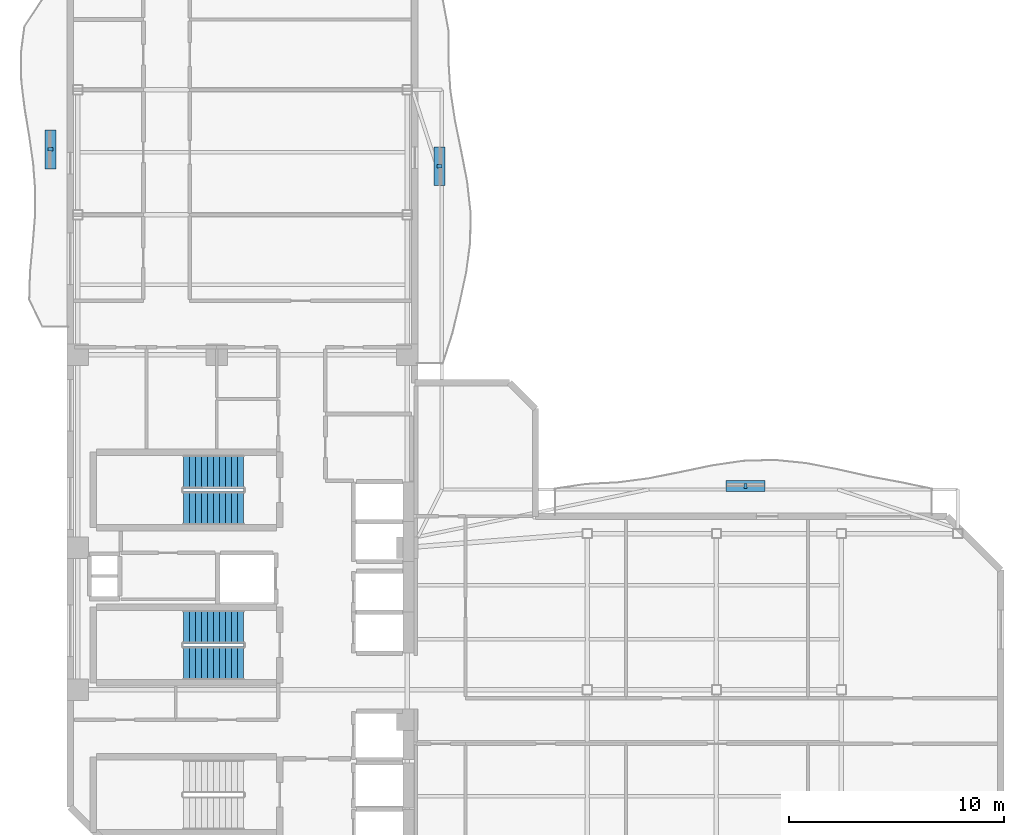
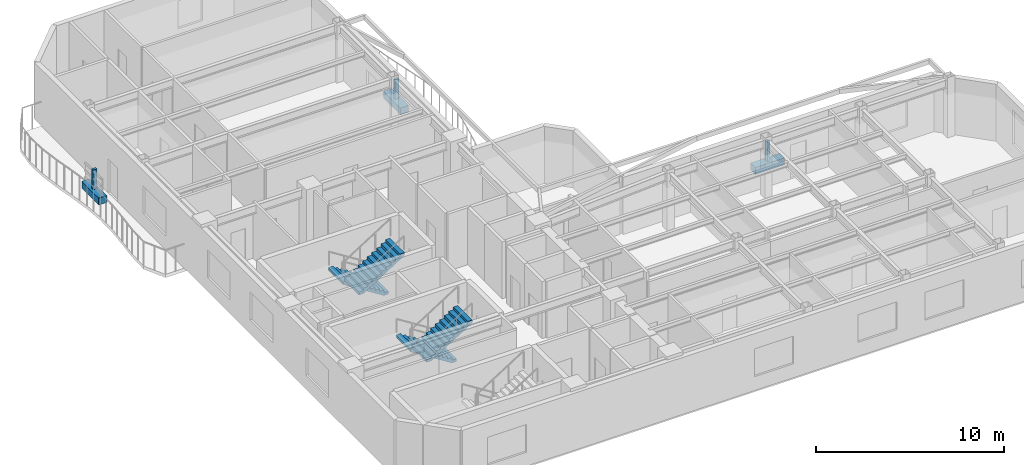
# One storey, part 6 of 9: 6 discrete accessories, 4 stair flights, 2 elements without a shape of their own.
"""IFC4 building model written with IfcOpenShell, lengths in metres."""

from ifc_helpers import new_model, si_unit, direction, frame, origin, origin_2d, place, context, subcontext, project, spatial, polyline, rectangle, outline, extrude, material, type_object, element, aggregate, save


model = new_model("IFC4")

# Units and contexts
model_context = context("Model", 3, precision=1e-05, world=origin(), true_north=direction((0.0, 1.0)))
body_context = subcontext(model_context, "Body", "Model", "MODEL_VIEW")
ifc_project = project(units=[si_unit("LENGTHUNIT", "METRE"), si_unit("AREAUNIT", "SQUARE_METRE"), si_unit("VOLUMEUNIT", "CUBIC_METRE"), si_unit("PLANEANGLEUNIT", "RADIAN"), si_unit("MASSUNIT", "GRAM", prefix="KILO")], contexts=[model_context])

# Site, building, storey
site_placement = place(None, origin())
site = spatial("IfcSite", under=ifc_project, at=site_placement, CompositionType="ELEMENT")
building_placement = place(site_placement, origin())
building = spatial("IfcBuilding", under=site, at=building_placement, Name="Mawjaban Terraces University", CompositionType="ELEMENT")
storey_placement = place(building_placement, frame((0.0, 0.0, 226.5)))
storey = spatial("IfcBuildingStorey", under=building, at=storey_placement, Name="L55", CompositionType="ELEMENT", Elevation=226.5)

# Stair, stair flights
ifc_material_1 = material(Name="Concrete C40/50", Category="concrete")
stair_type = type_object("IfcStairType", Name="Stair_Core1550_H39", PredefinedType="HALF_TURN_STAIR", material=ifc_material_1)
stair_1_placement = place(storey_placement, origin())
stair_1 = element("IfcStair", 1, at=stair_1_placement, inside=storey, type_object=stair_type, Name="L55 Core Exit Stair 2", PredefinedType="HALF_TURN_STAIR")
stair_flight_type = type_object("IfcStairFlightType", Name="Flight_Core1550_H39", PredefinedType="STRAIGHT", material=ifc_material_1)
stair_flight_1_placement = place(storey_placement, frame((30.050048828125, 18.074951171875, 0.0), z_axis=(0.0, 0.0, 1.0), x_axis=(-1.0, 0.0, 0.0)))
stair_flight_1 = element("IfcStairFlight", 2, at=stair_flight_1_placement, type_object=stair_flight_type, Name="ST-2 flight 1", NumberOfRisers=11, NumberOfTreads=10, PredefinedType="STRAIGHT", RiserHeight=0.177272727, TreadLength=0.28, context=body_context, shape_type="SweptSolid", body=[
    extrude(outline(polyline([(0.0, 0.0), (0.0, 0.17724609375), (0.280029296875, 0.17724609375), (0.280029296875, 0.3544921875), (0.56005859375, 0.3544921875), (0.56005859375, 0.53173828125), (0.840087890625, 0.53173828125), (0.840087890625, 0.708984375), (1.1201171875, 0.708984375), (1.1201171875, 0.886474609375), (1.39990234375, 0.886474609375), (1.39990234375, 1.063720703125), (1.679931640625, 1.063720703125), (1.679931640625, 1.240966796875), (1.9599609375, 1.240966796875), (1.9599609375, 1.418212890625), (2.239990234375, 1.418212890625), (2.239990234375, 1.595458984375), (2.52001953125, 1.595458984375), (2.52001953125, 1.772705078125), (2.800048828125, 1.772705078125), (2.800048828125, 1.949951171875), (2.800048828125, 1.59521484375), (0.2802734375, 0.0), (0.0, 0.0)])), frame((0.0, 0.77490234375, 0.0), z_axis=(0.0, -1.0, 0.0), x_axis=(1.0, 0.0, 0.0)), (0.0, 0.0, 1.0), 1.550048828125),
])
stair_flight_2_placement = place(storey_placement, frame((27.25, 16.375, 1.949951171875), z_axis=(0.0, 0.0, 1.0), x_axis=(1.0, 0.0, 0.0)))
stair_flight_2 = element("IfcStairFlight", 3, at=stair_flight_2_placement, type_object=stair_flight_type, Name="ST-2 flight 2", NumberOfRisers=11, NumberOfTreads=10, PredefinedType="STRAIGHT", RiserHeight=0.177272727, TreadLength=0.28, context=body_context, shape_type="SweptSolid", body=[
    extrude(outline(polyline([(0.0, 0.0), (0.0, 0.17724609375), (0.280029296875, 0.17724609375), (0.280029296875, 0.3544921875), (0.56005859375, 0.3544921875), (0.56005859375, 0.53173828125), (0.840087890625, 0.53173828125), (0.840087890625, 0.708984375), (1.1201171875, 0.708984375), (1.1201171875, 0.886474609375), (1.39990234375, 0.886474609375), (1.39990234375, 1.063720703125), (1.679931640625, 1.063720703125), (1.679931640625, 1.240966796875), (1.9599609375, 1.240966796875), (1.9599609375, 1.418212890625), (2.239990234375, 1.418212890625), (2.239990234375, 1.595458984375), (2.52001953125, 1.595458984375), (2.52001953125, 1.772705078125), (2.800048828125, 1.772705078125), (2.800048828125, 1.949951171875), (2.800048828125, 1.59521484375), (0.2802734375, 0.0), (0.0, 0.0)])), frame((0.0, 0.77490234375, 0.0), z_axis=(0.0, -1.0, 0.0), x_axis=(1.0, 0.0, 0.0)), (0.0, 0.0, 1.0), 1.550048828125),
])
aggregate(stair_1, [stair_flight_1, stair_flight_2])

stair_2_placement = place(storey_placement, origin())
stair_2 = element("IfcStair", 4, at=stair_2_placement, inside=storey, type_object=stair_type, Name="L55 Core Exit Stair 3", PredefinedType="HALF_TURN_STAIR")
stair_flight_3_placement = place(storey_placement, frame((30.050048828125, 10.875, 0.0), z_axis=(0.0, 0.0, 1.0), x_axis=(-1.0, 0.0, 0.0)))
stair_flight_3 = element("IfcStairFlight", 5, at=stair_flight_3_placement, type_object=stair_flight_type, Name="ST-3 flight 1", NumberOfRisers=11, NumberOfTreads=10, PredefinedType="STRAIGHT", RiserHeight=0.177272727, TreadLength=0.28, context=body_context, shape_type="SweptSolid", body=[
    extrude(outline(polyline([(0.0, 0.0), (0.0, 0.17724609375), (0.280029296875, 0.17724609375), (0.280029296875, 0.3544921875), (0.56005859375, 0.3544921875), (0.56005859375, 0.53173828125), (0.840087890625, 0.53173828125), (0.840087890625, 0.708984375), (1.1201171875, 0.708984375), (1.1201171875, 0.886474609375), (1.39990234375, 0.886474609375), (1.39990234375, 1.063720703125), (1.679931640625, 1.063720703125), (1.679931640625, 1.240966796875), (1.9599609375, 1.240966796875), (1.9599609375, 1.418212890625), (2.239990234375, 1.418212890625), (2.239990234375, 1.595458984375), (2.52001953125, 1.595458984375), (2.52001953125, 1.772705078125), (2.800048828125, 1.772705078125), (2.800048828125, 1.949951171875), (2.800048828125, 1.59521484375), (0.2802734375, 0.0), (0.0, 0.0)])), frame((0.0, 0.77490234375, 0.0), z_axis=(0.0, -1.0, 0.0), x_axis=(1.0, 0.0, 0.0)), (0.0, 0.0, 1.0), 1.550048828125),
])
stair_flight_4_placement = place(storey_placement, frame((27.25, 9.175048828125, 1.949951171875), z_axis=(0.0, 0.0, 1.0), x_axis=(1.0, 0.0, 0.0)))
stair_flight_4 = element("IfcStairFlight", 6, at=stair_flight_4_placement, type_object=stair_flight_type, Name="ST-3 flight 2", NumberOfRisers=11, NumberOfTreads=10, PredefinedType="STRAIGHT", RiserHeight=0.177272727, TreadLength=0.28, context=body_context, shape_type="SweptSolid", body=[
    extrude(outline(polyline([(0.0, 0.0), (0.0, 0.17724609375), (0.280029296875, 0.17724609375), (0.280029296875, 0.3544921875), (0.56005859375, 0.3544921875), (0.56005859375, 0.53173828125), (0.840087890625, 0.53173828125), (0.840087890625, 0.708984375), (1.1201171875, 0.708984375), (1.1201171875, 0.886474609375), (1.39990234375, 0.886474609375), (1.39990234375, 1.063720703125), (1.679931640625, 1.063720703125), (1.679931640625, 1.240966796875), (1.9599609375, 1.240966796875), (1.9599609375, 1.418212890625), (2.239990234375, 1.418212890625), (2.239990234375, 1.595458984375), (2.52001953125, 1.595458984375), (2.52001953125, 1.772705078125), (2.800048828125, 1.772705078125), (2.800048828125, 1.949951171875), (2.800048828125, 1.59521484375), (0.2802734375, 0.0), (0.0, 0.0)])), frame((0.0, 0.77490234375, 0.0), z_axis=(0.0, -1.0, 0.0), x_axis=(1.0, 0.0, 0.0)), (0.0, 0.0, 1.0), 1.550048828125),
])
aggregate(stair_2, [stair_flight_3, stair_flight_4])

# Discrete accessories
ifc_material_2 = material(Name="Stainless steel 316L", Category="steel")
discrete_accessory_type_1 = type_object("IfcDiscreteAccessoryType", Name="FacadeScreenBracket_Steel", PredefinedType="BRACKET", material=ifc_material_2)
for number, where, z_axis, x_axis, name in (
    (7, (21.092041015625, 33.033935546875, 0.419921875), (0.0, 0.0, 1.0), (0.0, 1.0, 0.0), "L55 Balcony Screen Support Bracket west"),
    (8, (53.35009765625, 17.408935546875, 0.419921875), (0.0, 0.0, 1.0), (1.0, 0.0, 0.0), "L55 Balcony Screen Support Bracket inner_north"),
    (9, (39.14404296875, 32.25390625, 0.419921875), (0.0, 0.0, 1.0), (0.0, 1.0, 0.0), "L55 Balcony Screen Support Bracket inner_east"),
):
    element("IfcDiscreteAccessory", number, at=place(storey_placement, frame(where, z_axis=z_axis, x_axis=x_axis)), inside=storey, type_object=discrete_accessory_type_1, Name=name, PredefinedType="BRACKET", context=body_context, shape_type="SweptSolid", body=[
        extrude(rectangle(XDim=0.159912109375, YDim=0.239990234375, at=origin_2d()), origin(), (0.0, 0.0, 1.0), 1.300048828125),
    ])
ifc_material_3 = material(Name="Precast architectural terracotta planter with engineered planting soil", Category="masonry")
discrete_accessory_type_2 = type_object("IfcDiscreteAccessoryType", Name="IrrigatedPlanterTrough_450", PredefinedType="USERDEFINED", material=ifc_material_3)
for number, where, z_axis, x_axis, name in (
    (10, (21.092041015625, 33.033935546875, -0.0048828125), (0.0, 0.0, 1.0), (0.0, 1.0, 0.0), "L55 Balcony Irrigated Planter west"),
    (11, (53.35009765625, 17.408935546875, -0.0048828125), (0.0, 0.0, 1.0), (1.0, 0.0, 0.0), "L55 Balcony Irrigated Planter inner_north"),
    (12, (39.14404296875, 32.25390625, -0.0048828125), (0.0, 0.0, 1.0), (0.0, 1.0, 0.0), "L55 Balcony Irrigated Planter inner_east"),
):
    element("IfcDiscreteAccessory", number, at=place(storey_placement, frame(where, z_axis=z_axis, x_axis=x_axis)), inside=storey, type_object=discrete_accessory_type_2, Name=name, ObjectType="PLANTER", PredefinedType="USERDEFINED", context=body_context, shape_type="SweptSolid", body=[
        extrude(rectangle(XDim=1.800048828125, YDim=0.5, at=origin_2d()), origin(), (0.0, 0.0, 1.0), 0.449951171875),
    ])

save(model, "model.ifc")
